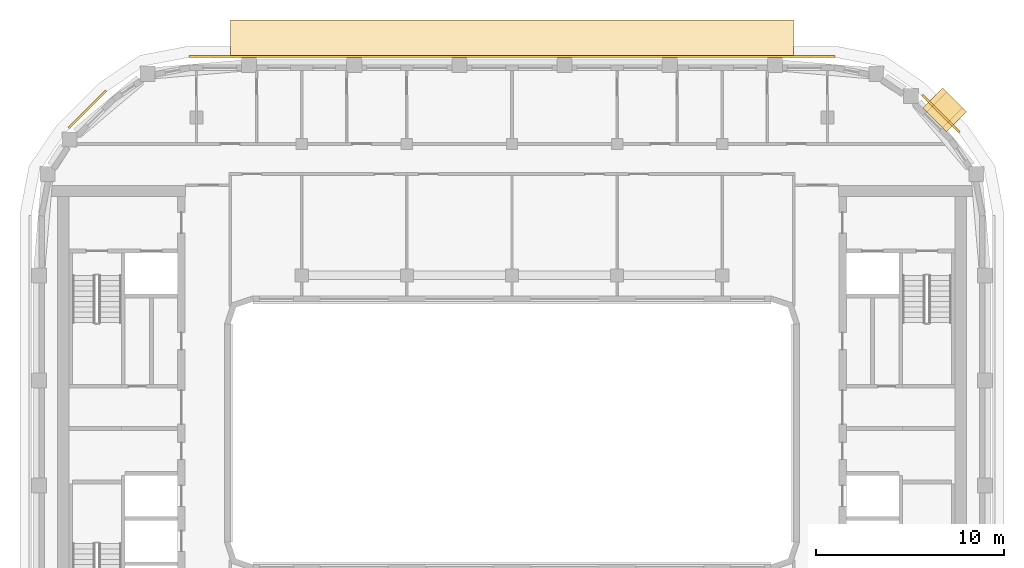
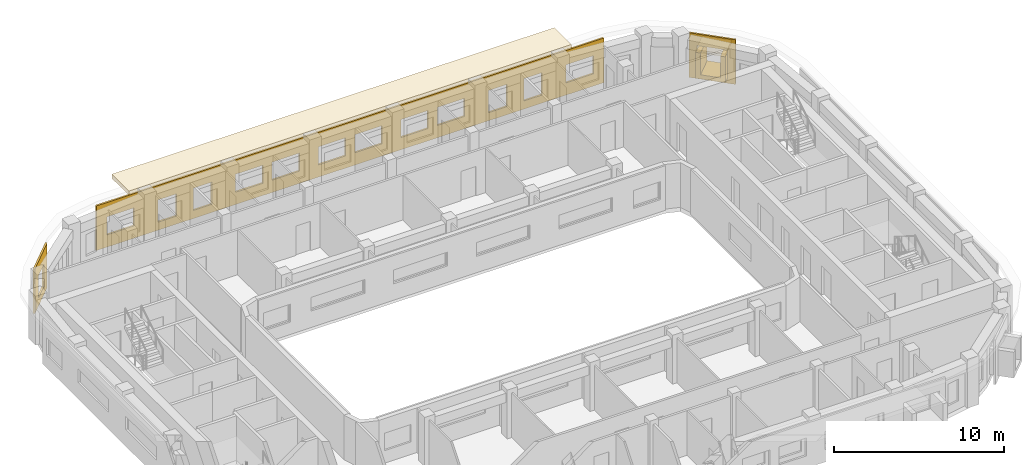
# One storey, part 15 of 15: 6 coverings.
"""IFC4 building model written with IfcOpenShell, lengths in metres."""

from ifc_helpers import new_model, si_unit, direction, frame, origin, origin_2d, place, context, subcontext, project, spatial, polyline, rectangle, outline, extrude, material, layer, layer_set, type_object, element, save


model = new_model("IFC4")

# Units and contexts
model_context = context("Model", 3, precision=1e-05, world=origin(), true_north=direction((0.0, 1.0)))
body_context = subcontext(model_context, "Body", "Model", "MODEL_VIEW")
ifc_project = project(units=[si_unit("LENGTHUNIT", "METRE"), si_unit("AREAUNIT", "SQUARE_METRE"), si_unit("VOLUMEUNIT", "CUBIC_METRE"), si_unit("PLANEANGLEUNIT", "RADIAN"), si_unit("MASSUNIT", "GRAM", prefix="KILO")], contexts=[model_context])

# Site, building, storey
site_placement = place(None, origin())
site = spatial("IfcSite", under=ifc_project, at=site_placement, CompositionType="ELEMENT")
building_placement = place(site_placement, origin())
building = spatial("IfcBuilding", under=site, at=building_placement, Name="Kiln Ring Residences", CompositionType="ELEMENT")
storey_placement = place(building_placement, frame((0.0, 0.0, 248.699951171875)))
storey = spatial("IfcBuildingStorey", under=building, at=storey_placement, Name="L64", CompositionType="ELEMENT", Elevation=248.699951171875)

# Coverings
ifc_material_1 = material(Name="Brick masonry, dark clay brick", Category="masonry")
ifc_layer_1 = layer(ifc_material_1, 0.300048828125)
ifc_layer_set_1 = layer_set([ifc_layer_1], Name="FRAME CHEEKS AND SILL 1500")
covering_type_1 = type_object("IfcCoveringType", Name="FRAME CHEEKS AND SILL 1500", PredefinedType="CLADDING", material=ifc_layer_set_1)
covering_1_placement = place(storey_placement, frame((23.6796875, 16.5810546875, 0.300048828125), z_axis=(0.0, 0.0, 1.0), x_axis=(-0.707106781187, 0.707106781187, 0.0)))
element("IfcCovering", 1, at=covering_1_placement, inside=storey, type_object=covering_type_1, Name="FRAME L64", PredefinedType="CLADDING", context=body_context, shape_type="SweptSolid", body=[
    extrude(outline(polyline([(0.0, 0.0), (1.7998046875, 0.0), (1.800048828125, 1.85009765625), (1.5009765625, 1.85009765625), (1.5, 0.300048828125), (0.300048828125, 0.300048828125), (0.299072265625, 1.85009765625), (0.0, 1.85009765625), (0.0, 0.0)])), frame((0.0, 0.75, 0.0), z_axis=(0.0, -1.0, 0.0), x_axis=(1.0, 0.0, 0.0)), (0.0, 0.0, 1.0), 1.5),
])
ifc_material_2 = material(Name="Brick masonry, dark clay brick", Category="masonry")
ifc_layer_2 = layer(ifc_material_2, 0.199951171875)
ifc_layer_set_2 = layer_set([ifc_layer_2], Name="FRAME HEAD 1500")
covering_type_2 = type_object("IfcCoveringType", Name="FRAME HEAD 1500", PredefinedType="CLADDING", material=ifc_layer_set_2)
covering_2_placement = place(storey_placement, frame((23.043212890625, 17.21728515625, 2.14990234375), z_axis=(0.0, 0.0, 1.0), x_axis=(-0.707106781187, 0.707106781187, 0.0)))
element("IfcCovering", 2, at=covering_2_placement, inside=storey, type_object=covering_type_2, Name="FRAME HEAD L64", PredefinedType="CLADDING", context=body_context, shape_type="SweptSolid", body=[
    extrude(rectangle(XDim=1.800048828125, YDim=1.5, at=origin_2d()), origin(), (0.0, 0.0, 1.0), 0.199951171875),
])
ifc_material_3 = material(Name="Brick masonry, dark clay brick", Category="masonry")
ifc_layer_3 = layer(ifc_material_3, 0.1201171875)
ifc_layer_set_3 = layer_set([ifc_layer_3], Name="RAINSCREEN PANEL 120")
covering_type_3 = type_object("IfcCoveringType", Name="RAINSCREEN PANEL 120", PredefinedType="CLADDING", material=ifc_layer_set_3)
covering_3_placement = place(storey_placement, frame((23.828125, 16.022216796875, 0.0), z_axis=(0.0, 0.0, 1.0), x_axis=(-0.707063182409, 0.707150377276, 0.0)))
element("IfcCovering", 3, at=covering_3_placement, inside=storey, type_object=covering_type_3, Name="RAINSCREEN L64", PredefinedType="CLADDING", context=body_context, shape_type="SweptSolid", body=[
    extrude(outline(polyline([(0.0, 0.0), (2.800048828125, 0.0), (2.800048828125, 3.199951171875), (0.0, 3.199951171875), (0.0, 0.0)]), holes=[polyline([(0.47998046875, 2.3701171875), (0.47998046875, 0.280029296875), (2.320068359375, 0.280029296875), (2.320068359375, 2.3701171875), (0.47998046875, 2.3701171875)])]), frame((0.0, 0.06005859375, 0.0), z_axis=(0.0, -1.0, 0.0), x_axis=(1.0, 0.0, 0.0)), (0.0, 0.0, 1.0), 0.1201171875),
])
covering_4_placement = place(storey_placement, frame((17.199951171875, 20.06005859375, 0.0), z_axis=(0.0, 0.0, 1.0), x_axis=(-1.0, 0.0, 0.0)))
element("IfcCovering", 4, at=covering_4_placement, inside=storey, type_object=covering_type_3, Name="RAINSCREEN L64", PredefinedType="CLADDING", context=body_context, shape_type="SweptSolid", body=[
    extrude(outline(polyline([(0.0, 0.0), (34.39990234375, 0.0), (34.39990234375, 3.199951171875), (0.0, 3.199951171875), (0.0, 0.0)]), holes=[polyline([(4.179931640625, 0.580078125), (5.419921875, 0.580078125), (5.419921875, 2.170166015625), (4.179931640625, 2.170166015625), (4.179931640625, 0.580078125)]), polyline([(6.580078125, 2.170166015625), (6.580078125, 0.580078125), (7.820068359375, 0.580078125), (7.820068359375, 2.170166015625), (6.580078125, 2.170166015625)]), polyline([(0.717529296875, 2.170166015625), (0.717529296875, 0.880126953125), (2.5576171875, 0.880126953125), (2.5576171875, 2.170166015625), (0.717529296875, 2.170166015625)]), polyline([(9.4423828125, 0.880126953125), (11.282470703125, 0.880126953125), (11.282470703125, 2.170166015625), (9.4423828125, 2.170166015625), (9.4423828125, 0.880126953125)]), polyline([(11.91748046875, 2.170166015625), (11.91748046875, 0.880126953125), (13.757568359375, 0.880126953125), (13.757568359375, 2.170166015625), (11.91748046875, 2.170166015625)]), polyline([(15.04248046875, 2.170166015625), (15.04248046875, 0.880126953125), (16.882568359375, 0.880126953125), (16.882568359375, 2.170166015625), (15.04248046875, 2.170166015625)]), polyline([(26.580078125, 0.580078125), (27.820068359375, 0.580078125), (27.820068359375, 2.170166015625), (26.580078125, 2.170166015625), (26.580078125, 0.580078125)]), polyline([(28.97998046875, 2.170166015625), (28.97998046875, 0.580078125), (30.219970703125, 0.580078125), (30.219970703125, 2.170166015625), (28.97998046875, 2.170166015625)]), polyline([(17.517578125, 2.170166015625), (17.517578125, 0.880126953125), (19.357421875, 0.880126953125), (19.357421875, 2.170166015625), (17.517578125, 2.170166015625)]), polyline([(20.642578125, 0.880126953125), (22.482421875, 0.880126953125), (22.482421875, 2.170166015625), (20.642578125, 2.170166015625), (20.642578125, 0.880126953125)]), polyline([(23.117431640625, 2.170166015625), (23.117431640625, 0.880126953125), (24.95751953125, 0.880126953125), (24.95751953125, 2.170166015625), (23.117431640625, 2.170166015625)]), polyline([(31.842529296875, 2.170166015625), (31.842529296875, 0.880126953125), (33.6826171875, 0.880126953125), (33.6826171875, 2.170166015625), (31.842529296875, 2.170166015625)])]), frame((0.0, 0.06005859375, 0.0), z_axis=(0.0, -1.0, 0.0), x_axis=(1.0, 0.0, 0.0)), (0.0, 0.0, 1.0), 0.1201171875),
])
covering_5_placement = place(storey_placement, frame((-21.622314453125, 18.228271484375, 0.0), z_axis=(0.0, 0.0, 1.0), x_axis=(-0.707106781187, -0.707106781187, 0.0)))
element("IfcCovering", 5, at=covering_5_placement, inside=storey, type_object=covering_type_3, Name="RAINSCREEN L64", PredefinedType="CLADDING", context=body_context, shape_type="SweptSolid", body=[
    extrude(outline(polyline([(0.0, 0.0), (2.800048828125, 0.0), (2.800048828125, 3.199951171875), (0.0, 3.199951171875), (0.0, 0.0)]), holes=[polyline([(0.780029296875, 2.170166015625), (0.780029296875, 0.580078125), (2.02001953125, 0.580078125), (2.02001953125, 2.170166015625), (0.780029296875, 2.170166015625)])]), frame((0.0, 0.06005859375, 0.0), z_axis=(0.0, -1.0, 0.0), x_axis=(1.0, 0.0, 0.0)), (0.0, 0.0, 1.0), 0.1201171875),
])
ifc_material_4 = material(Name="Black powder-coated steel", Category="steel")
ifc_layer_4 = layer(ifc_material_4, 0.300048828125)
ifc_layer_set_4 = layer_set([ifc_layer_4], Name="SUNSHADE BAND 2000")
covering_type_4 = type_object("IfcCoveringType", Name="SUNSHADE BAND 2000", PredefinedType="CLADDING", material=ifc_layer_set_4)
covering_6_placement = place(storey_placement, frame((0.0, 0.0, 3.199951171875)))
element("IfcCovering", 6, at=covering_6_placement, inside=storey, type_object=covering_type_4, Name="SUNSHADE BAND L64", PredefinedType="CLADDING", context=body_context, shape_type="SweptSolid", body=[
    extrude(outline(polyline([(15.0, 22.0), (-15.0, 22.0), (-15.0, 20.0), (15.0, 20.0), (15.0, 22.0)])), origin(), (0.0, 0.0, 1.0), 0.300048828125),
])

save(model, "model.ifc")
